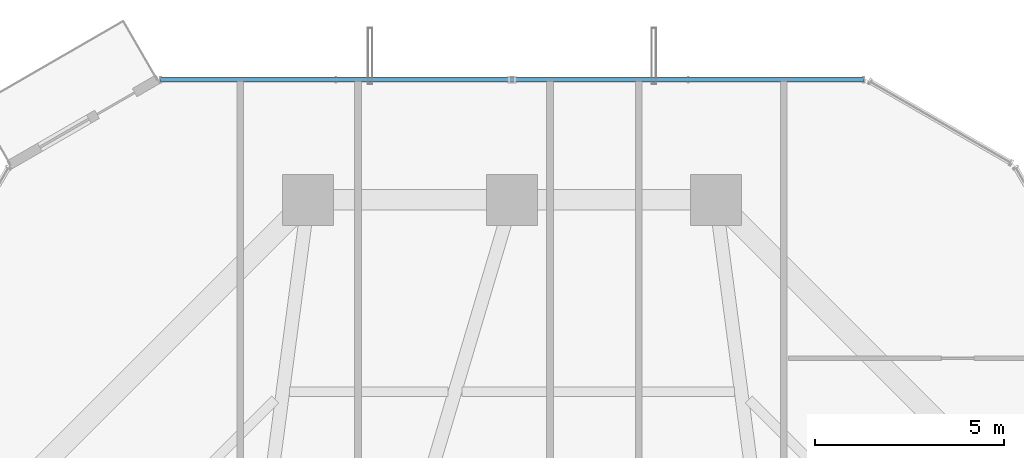
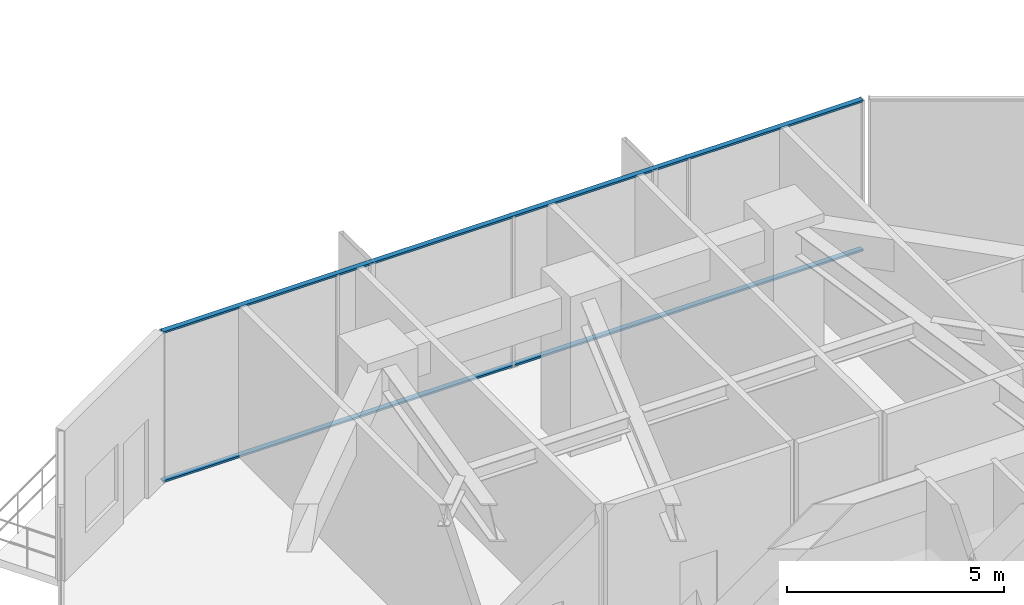
# One storey, part 28 of 39: 2 members, 1 element without a shape of its own.
"""IFC4 building model written with IfcOpenShell, lengths in metres."""

from ifc_helpers import new_model, si_unit, direction, frame, origin, origin_2d, place, context, subcontext, project, spatial, hollow_rectangle, extrude, source, transform, mapped, material, layer, layer_set, material_profile, profile_set, type_object, element, aggregate, save


model = new_model("IFC4")

# Units and contexts
model_context = context("Model", 3, precision=1e-05, world=origin(), true_north=direction((0.0, 1.0)))
body_context = subcontext(model_context, "Body", "Model", "MODEL_VIEW")
ifc_project = project(units=[si_unit("LENGTHUNIT", "METRE"), si_unit("AREAUNIT", "SQUARE_METRE"), si_unit("VOLUMEUNIT", "CUBIC_METRE"), si_unit("PLANEANGLEUNIT", "RADIAN"), si_unit("MASSUNIT", "GRAM", prefix="KILO")], contexts=[model_context])

# Site, building, storey
site_placement = place(None, origin())
site = spatial("IfcSite", under=ifc_project, at=site_placement, CompositionType="ELEMENT")
building_placement = place(site_placement, origin())
building = spatial("IfcBuilding", under=site, at=building_placement, Name="Veraguas Prism Commons", CompositionType="ELEMENT")
storey_placement = place(building_placement, frame((0.0, 0.0, 22.800048828125)))
storey = spatial("IfcBuildingStorey", under=building, at=storey_placement, Name="L05", CompositionType="ELEMENT", Elevation=22.800048828125)

# Curtain wall, members
ifc_material = material(Name="Anodised aluminium EN AW-6063 T6", Category="aluminium")
ifc_layer = layer(ifc_material, 0.169921875, Name="Unitised Flush Curtain Wall Zone 1", Category="aluminium")
ifc_layer_set = layer_set([ifc_layer], Name="Anodised aluminium EN AW-6063 T6")
curtain_wall_type = type_object("IfcCurtainWallType", Name="Unitised Flush Curtain Wall Zone 1", PredefinedType="NOTDEFINED", material=ifc_layer_set)
curtain_wall_placement = place(storey_placement, origin())
curtain_wall = element("IfcCurtainWall", 1, at=curtain_wall_placement, inside=storey, type_object=curtain_wall_type, Name="Tower Facade Curtain Wall L05-F2", PredefinedType="NOTDEFINED")
ifc_material_profile = material_profile(ifc_material, hollow_rectangle(XDim=0.054931640625, YDim=0.135009765625, WallThickness=0.0029296875, at=origin_2d()), Name="AL55X135X3")
ifc_profile_set = profile_set([ifc_material_profile], Name="Anodised aluminium EN AW-6063 T6")
member_type = type_object("IfcMemberType", Name="Curtain Wall Transom Standard AL 55x135x3", PredefinedType="USERDEFINED", material=ifc_profile_set)
shared_shape = source(origin(), body_context, "Body", "SweptSolid", [
    extrude(hollow_rectangle(XDim=0.054931640625, YDim=0.135009765625, WallThickness=0.0029296875, at=origin_2d()), origin(), (0.0, 0.0, 1.0), 18.6240234375),
])
member_1_placement = place(storey_placement, frame((33.31201171875, 44.78466796875, 0.02734375), z_axis=(-1.0, 0.0, 0.0), x_axis=(0.0, 0.0, 1.0)))
member_1 = element("IfcMember", 2, at=member_1_placement, type_object=member_type, Name="CW-Z1 Transom 1", ObjectType="TRANSOM", PredefinedType="USERDEFINED", context=body_context, shape_type="MappedRepresentation", body=[
    mapped(shared_shape, transform((0.0, 0.0, 0.0), scale=1.0)),
])
member_2_placement = place(storey_placement, frame((33.31201171875, 44.78466796875, 4.222412109375), z_axis=(-1.0, 0.0, 0.0), x_axis=(0.0, 0.0, 1.0)))
member_2 = element("IfcMember", 3, at=member_2_placement, type_object=member_type, Name="CW-Z1 Transom 2", ObjectType="TRANSOM", PredefinedType="USERDEFINED", context=body_context, shape_type="MappedRepresentation", body=[
    mapped(shared_shape, transform((0.0, 0.0, 0.0), scale=1.0)),
])
aggregate(curtain_wall, [member_1, member_2])

save(model, "model.ifc")
